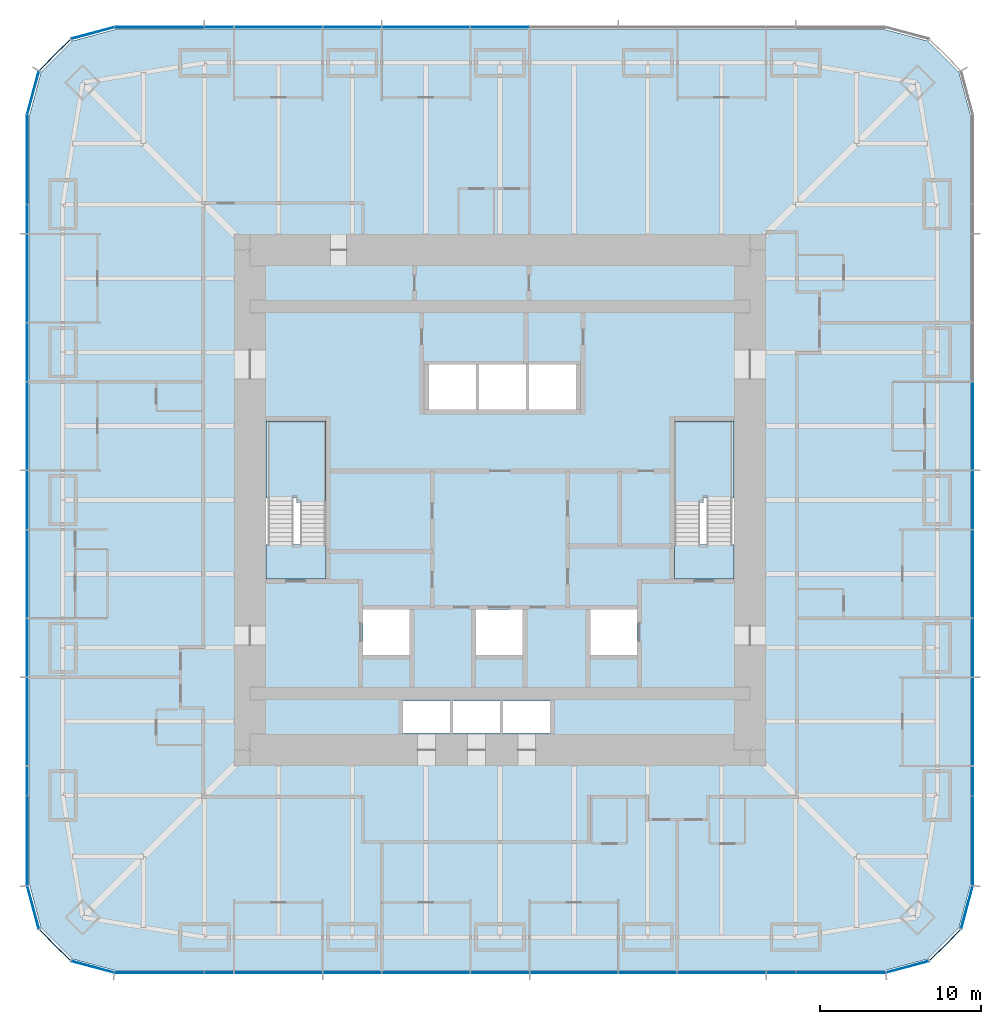
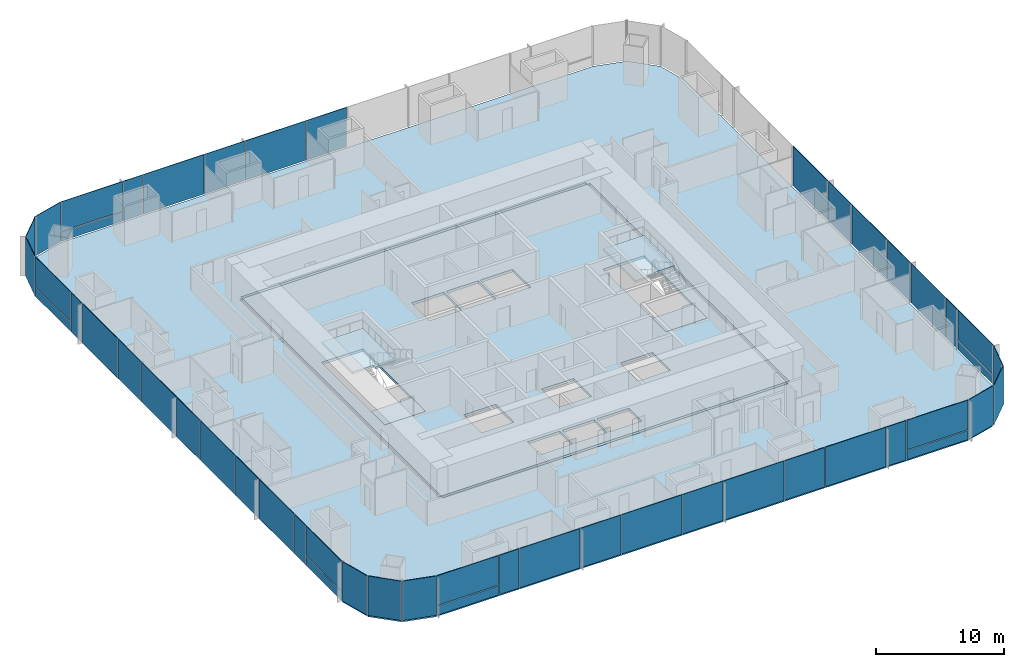
# One storey, part 7 of 13: 50 plates, 6 slabs, 9 elements without a shape of their own.
"""IFC4 building model written with IfcOpenShell, lengths in metres."""

from ifc_helpers import new_model, si_unit, direction, frame, origin, origin_2d, place, context, subcontext, project, spatial, polyline, rectangle, outline, extrude, material, layer, layer_set, type_object, element, aggregate, save


model = new_model("IFC4")

# Units and contexts
model_context = context("Model", 3, precision=1e-05, world=origin(), true_north=direction((0.0, 1.0)))
body_context = subcontext(model_context, "Body", "Model", "MODEL_VIEW")
ifc_project = project(units=[si_unit("LENGTHUNIT", "METRE"), si_unit("AREAUNIT", "SQUARE_METRE"), si_unit("VOLUMEUNIT", "CUBIC_METRE"), si_unit("PLANEANGLEUNIT", "RADIAN"), si_unit("MASSUNIT", "GRAM", prefix="KILO")], contexts=[model_context])

# Site, building, storey
site_placement = place(None, origin())
site = spatial("IfcSite", under=ifc_project, at=site_placement, CompositionType="ELEMENT")
building_placement = place(site_placement, origin())
building = spatial("IfcBuilding", under=site, at=building_placement, Name="Khuree Lantern Residences", CompositionType="ELEMENT")
storey_placement = place(building_placement, frame((0.0, 0.0, 111.0)))
storey = spatial("IfcBuildingStorey", under=building, at=storey_placement, Name="L27", CompositionType="ELEMENT", Elevation=111.0)

# Slab
ifc_material_1 = material(Name="Concrete C35/45", Category="concrete")
ifc_layer_1 = layer(ifc_material_1, 0.25)
ifc_layer_set_1 = layer_set([ifc_layer_1], Name="CFL250 CORE FLOOR SLAB 250")
slab_type_1 = type_object("IfcSlabType", Name="CFL250 CORE FLOOR SLAB 250", PredefinedType="FLOOR", material=ifc_layer_set_1)
slab_1_placement = place(storey_placement, frame((0.0, 0.0, -0.25)))
element("IfcSlab", 1, at=slab_1_placement, inside=storey, type_object=slab_type_1, Name="Core floor L27", PredefinedType="FLOOR", context=body_context, shape_type="SweptSolid", body=[
    extrude(outline(polyline([(-15.5, -15.5), (-15.5, 15.5), (15.5, 15.5), (15.5, -15.5), (-15.5, -15.5)]), holes=[polyline([(10.800048828125, 4.89990234375), (10.800048828125, -4.89990234375), (14.5, -4.89990234375), (14.5, 4.89990234375), (10.800048828125, 4.89990234375)]), polyline([(8.5, -6.800048828125), (5.60009765625, -6.800048828125), (5.60009765625, -9.60009765625), (8.5, -9.60009765625), (8.5, -6.800048828125)]), polyline([(4.699951171875, 8.39990234375), (1.800048828125, 8.39990234375), (1.800048828125, 5.60009765625), (4.699951171875, 5.60009765625), (4.699951171875, 8.39990234375)]), polyline([(3.10009765625, -12.449951171875), (0.199951171875, -12.449951171875), (0.199951171875, -14.449951171875), (3.10009765625, -14.449951171875), (3.10009765625, -12.449951171875)]), polyline([(1.60009765625, 8.39990234375), (-1.300048828125, 8.39990234375), (-1.300048828125, 5.60009765625), (1.60009765625, 5.60009765625), (1.60009765625, 8.39990234375)]), polyline([(1.39990234375, -6.800048828125), (-1.5, -6.800048828125), (-1.5, -9.60009765625), (1.39990234375, -9.60009765625), (1.39990234375, -6.800048828125)]), polyline([(-2.89990234375, -12.449951171875), (-2.89990234375, -14.449951171875), (0.0, -14.449951171875), (0.0, -12.449951171875), (-2.89990234375, -12.449951171875)]), polyline([(-4.39990234375, 8.39990234375), (-4.39990234375, 5.60009765625), (-1.5, 5.60009765625), (-1.5, 8.39990234375), (-4.39990234375, 8.39990234375)]), polyline([(-6.0, -12.449951171875), (-6.0, -14.449951171875), (-3.10009765625, -14.449951171875), (-3.10009765625, -12.449951171875), (-6.0, -12.449951171875)]), polyline([(-8.5, -6.800048828125), (-8.5, -9.60009765625), (-5.60009765625, -9.60009765625), (-5.60009765625, -6.800048828125), (-8.5, -6.800048828125)]), polyline([(-10.800048828125, 4.89990234375), (-14.5, 4.89990234375), (-14.5, -4.89990234375), (-10.800048828125, -4.89990234375), (-10.800048828125, 4.89990234375)])]), origin(), (0.0, 0.0, 1.0), 0.25),
])

# Curtain wall, plates
ifc_material_2 = material(Name="Bronze anodised aluminium", Category="aluminium")
curtain_wall_type_1 = type_object("IfcCurtainWallType", Name="CW-T2 TOWER CORNER CURTAIN WALL", PredefinedType="USERDEFINED", material=ifc_material_2)
curtain_wall_1_placement = place(storey_placement, origin())
curtain_wall_1 = element("IfcCurtainWall", 2, at=curtain_wall_1_placement, inside=storey, type_object=curtain_wall_type_1, Name="L27 SOUTH-EAST CORNER CURTAIN WALL", ObjectType="Faceted corner curtain wall", PredefinedType="USERDEFINED")
ifc_material_3 = material(Name="Bronze tinted triple glazing", Category="glass")
ifc_layer_2 = layer(ifc_material_3, 0.048095703125)
ifc_layer_set_2 = layer_set([ifc_layer_2], Name="FACET PANEL P4")
plate_type_1 = type_object("IfcPlateType", Name="FACET PANEL P4", PredefinedType="CURTAIN_PANEL", material=ifc_layer_set_2)
plate_1_placement = place(storey_placement, frame((25.248046875, -28.938720703125, 0.0), z_axis=(0.0, 0.0, 1.0), x_axis=(0.965925810153, 0.258819105321, 0.0)))
plate_1 = element("IfcPlate", 3, at=plate_1_placement, type_object=plate_type_1, Name="L27 SOUTH-EAST CORNER PANEL 1.1", PredefinedType="CURTAIN_PANEL", context=body_context, shape_type="SweptSolid", body=[
    extrude(rectangle(XDim=2.71923828125, YDim=0.048095703125, at=origin_2d()), origin(), (0.0, 0.0, 1.0), 3.75),
])
plate_2_placement = place(storey_placement, frame((27.58837890625, -27.58837890625, 0.0), z_axis=(0.0, 0.0, 1.0), x_axis=(0.707106781187, 0.707106781187, 0.0)))
plate_2 = element("IfcPlate", 4, at=plate_2_placement, type_object=plate_type_1, Name="L27 SOUTH-EAST CORNER PANEL 2.1", PredefinedType="CURTAIN_PANEL", context=body_context, shape_type="SweptSolid", body=[
    extrude(rectangle(XDim=2.715087890625, YDim=0.048095703125, at=origin_2d()), origin(), (0.0, 0.0, 1.0), 3.75),
])
plate_3_placement = place(storey_placement, frame((28.938720703125, -25.248046875, 0.0), z_axis=(0.0, 0.0, 1.0), x_axis=(0.258819105321, 0.965925810153, 0.0)))
plate_3 = element("IfcPlate", 5, at=plate_3_placement, type_object=plate_type_1, Name="L27 SOUTH-EAST CORNER PANEL 3.1", PredefinedType="CURTAIN_PANEL", context=body_context, shape_type="SweptSolid", body=[
    extrude(rectangle(XDim=2.71923828125, YDim=0.048095703125, at=origin_2d()), origin(), (0.0, 0.0, 1.0), 3.75),
])
aggregate(curtain_wall_1, [plate_1, plate_2, plate_3])

curtain_wall_2_placement = place(storey_placement, origin())
curtain_wall_2 = element("IfcCurtainWall", 6, at=curtain_wall_2_placement, inside=storey, type_object=curtain_wall_type_1, Name="L27 NORTH-WEST CORNER CURTAIN WALL", ObjectType="Faceted corner curtain wall", PredefinedType="USERDEFINED")
plate_4_placement = place(storey_placement, frame((-25.248046875, 28.938720703125, 0.0), z_axis=(0.0, 0.0, 1.0), x_axis=(-0.965925810153, -0.258819105321, 0.0)))
plate_4 = element("IfcPlate", 7, at=plate_4_placement, type_object=plate_type_1, Name="L27 NORTH-WEST CORNER PANEL 29.1", PredefinedType="CURTAIN_PANEL", context=body_context, shape_type="SweptSolid", body=[
    extrude(rectangle(XDim=2.71923828125, YDim=0.048095703125, at=origin_2d()), origin(), (0.0, 0.0, 1.0), 3.75),
])
plate_5_placement = place(storey_placement, frame((-27.58837890625, 27.58837890625, 0.0), z_axis=(0.0, 0.0, 1.0), x_axis=(-0.707106781187, -0.707106781187, 0.0)))
plate_5 = element("IfcPlate", 8, at=plate_5_placement, type_object=plate_type_1, Name="L27 NORTH-WEST CORNER PANEL 30.1", PredefinedType="CURTAIN_PANEL", context=body_context, shape_type="SweptSolid", body=[
    extrude(rectangle(XDim=2.715087890625, YDim=0.048095703125, at=origin_2d()), origin(), (0.0, 0.0, 1.0), 3.75),
])
plate_6_placement = place(storey_placement, frame((-28.938720703125, 25.248046875, 0.0), z_axis=(0.0, 0.0, 1.0), x_axis=(-0.258819105321, -0.965925810153, 0.0)))
plate_6 = element("IfcPlate", 9, at=plate_6_placement, type_object=plate_type_1, Name="L27 NORTH-WEST CORNER PANEL 31.1", PredefinedType="CURTAIN_PANEL", context=body_context, shape_type="SweptSolid", body=[
    extrude(rectangle(XDim=2.71923828125, YDim=0.048095703125, at=origin_2d()), origin(), (0.0, 0.0, 1.0), 3.75),
])
aggregate(curtain_wall_2, [plate_4, plate_5, plate_6])

curtain_wall_3_placement = place(storey_placement, origin())
curtain_wall_3 = element("IfcCurtainWall", 10, at=curtain_wall_3_placement, inside=storey, type_object=curtain_wall_type_1, Name="L27 SOUTH-WEST CORNER CURTAIN WALL", ObjectType="Faceted corner curtain wall", PredefinedType="USERDEFINED")
plate_7_placement = place(storey_placement, frame((-28.938720703125, -25.248046875, 0.0), z_axis=(0.0, 0.0, 1.0), x_axis=(0.258819105321, -0.965925810153, 0.0)))
plate_7 = element("IfcPlate", 11, at=plate_7_placement, type_object=plate_type_1, Name="L27 SOUTH-WEST CORNER PANEL 43.1", PredefinedType="CURTAIN_PANEL", context=body_context, shape_type="SweptSolid", body=[
    extrude(rectangle(XDim=2.71923828125, YDim=0.048095703125, at=origin_2d()), origin(), (0.0, 0.0, 1.0), 3.75),
])
plate_8_placement = place(storey_placement, frame((-27.58837890625, -27.58837890625, 0.0), z_axis=(0.0, 0.0, 1.0), x_axis=(0.707106781187, -0.707106781187, 0.0)))
plate_8 = element("IfcPlate", 12, at=plate_8_placement, type_object=plate_type_1, Name="L27 SOUTH-WEST CORNER PANEL 44.1", PredefinedType="CURTAIN_PANEL", context=body_context, shape_type="SweptSolid", body=[
    extrude(rectangle(XDim=2.715087890625, YDim=0.048095703125, at=origin_2d()), origin(), (0.0, 0.0, 1.0), 3.75),
])
plate_9_placement = place(storey_placement, frame((-25.248046875, -28.938720703125, 0.0), z_axis=(0.0, 0.0, 1.0), x_axis=(0.965925810153, -0.258819105321, 0.0)))
plate_9 = element("IfcPlate", 13, at=plate_9_placement, type_object=plate_type_1, Name="L27 SOUTH-WEST CORNER PANEL 45.1", PredefinedType="CURTAIN_PANEL", context=body_context, shape_type="SweptSolid", body=[
    extrude(rectangle(XDim=2.71923828125, YDim=0.048095703125, at=origin_2d()), origin(), (0.0, 0.0, 1.0), 3.75),
])
aggregate(curtain_wall_3, [plate_7, plate_8, plate_9])

curtain_wall_type_2 = type_object("IfcCurtainWallType", Name="CW-T1 TOWER FACE CURTAIN WALL", PredefinedType="USERDEFINED", material=ifc_material_2)
curtain_wall_4_placement = place(storey_placement, origin())
curtain_wall_4 = element("IfcCurtainWall", 14, at=curtain_wall_4_placement, inside=storey, type_object=curtain_wall_type_2, Name="L27 EAST FACE CURTAIN WALL", ObjectType="Stick-built curtain wall", PredefinedType="USERDEFINED")
ifc_material_4 = material(Name="Bronze tinted triple glazing with a ceramic-fritted spandrel band", Category="glass")
ifc_layer_3 = layer(ifc_material_4, 0.048095703125)
ifc_layer_set_3 = layer_set([ifc_layer_3], Name="FIXED LIGHT PANEL P11")
plate_type_2 = type_object("IfcPlateType", Name="FIXED LIGHT PANEL P11", PredefinedType="CURTAIN_PANEL", material=ifc_layer_set_3)
plate_10_placement = place(storey_placement, frame((29.300048828125, -13.739990234375, 0.0), z_axis=(0.0, 0.0, 1.0), x_axis=(0.0, 1.0, 0.0)))
plate_10 = element("IfcPlate", 15, at=plate_10_placement, type_object=plate_type_2, Name="L27 EAST FACE PANEL 6.1", PredefinedType="CURTAIN_PANEL", context=body_context, shape_type="SweptSolid", body=[
    extrude(rectangle(XDim=5.430908203125, YDim=0.048095703125, at=origin_2d()), origin(), (0.0, 0.0, 1.0), 3.75),
])
plate_11_placement = place(storey_placement, frame((29.300048828125, -4.580078125, 0.0), z_axis=(0.0, 0.0, 1.0), x_axis=(0.0, 1.0, 0.0)))
plate_11 = element("IfcPlate", 16, at=plate_11_placement, type_object=plate_type_2, Name="L27 EAST FACE PANEL 8.1", PredefinedType="CURTAIN_PANEL", context=body_context, shape_type="SweptSolid", body=[
    extrude(rectangle(XDim=5.430908203125, YDim=0.048095703125, at=origin_2d()), origin(), (0.0, 0.0, 1.0), 3.75),
])
plate_12_placement = place(storey_placement, frame((29.300048828125, 4.580078125, 0.0), z_axis=(0.0, 0.0, 1.0), x_axis=(0.0, 1.0, 0.0)))
plate_12 = element("IfcPlate", 17, at=plate_12_placement, type_object=plate_type_2, Name="L27 EAST FACE PANEL 10.1", PredefinedType="CURTAIN_PANEL", context=body_context, shape_type="SweptSolid", body=[
    extrude(rectangle(XDim=5.430908203125, YDim=0.048095703125, at=origin_2d()), origin(), (0.0, 0.0, 1.0), 3.75),
])

curtain_wall_5_placement = place(storey_placement, origin())
curtain_wall_5 = element("IfcCurtainWall", 18, at=curtain_wall_5_placement, inside=storey, type_object=curtain_wall_type_2, Name="L27 NORTH FACE CURTAIN WALL", ObjectType="Stick-built curtain wall", PredefinedType="USERDEFINED")
plate_13_placement = place(storey_placement, frame((-4.580078125, 29.300048828125, 0.0), z_axis=(0.0, 0.0, 1.0), x_axis=(-1.0, 0.0, 0.0)))
plate_13 = element("IfcPlate", 19, at=plate_13_placement, type_object=plate_type_2, Name="L27 NORTH FACE PANEL 24.1", PredefinedType="CURTAIN_PANEL", context=body_context, shape_type="SweptSolid", body=[
    extrude(rectangle(XDim=5.430908203125, YDim=0.048095703125, at=origin_2d()), origin(), (0.0, 0.0, 1.0), 3.75),
])
plate_14_placement = place(storey_placement, frame((-13.739990234375, 29.300048828125, 0.0), z_axis=(0.0, 0.0, 1.0), x_axis=(-1.0, 0.0, 0.0)))
plate_14 = element("IfcPlate", 20, at=plate_14_placement, type_object=plate_type_2, Name="L27 NORTH FACE PANEL 26.1", PredefinedType="CURTAIN_PANEL", context=body_context, shape_type="SweptSolid", body=[
    extrude(rectangle(XDim=5.430908203125, YDim=0.048095703125, at=origin_2d()), origin(), (0.0, 0.0, 1.0), 3.75),
])

curtain_wall_6_placement = place(storey_placement, origin())
curtain_wall_6 = element("IfcCurtainWall", 21, at=curtain_wall_6_placement, inside=storey, type_object=curtain_wall_type_2, Name="L27 WEST FACE CURTAIN WALL", ObjectType="Stick-built curtain wall", PredefinedType="USERDEFINED")
plate_15_placement = place(storey_placement, frame((-29.300048828125, 13.739990234375, 0.0), z_axis=(0.0, 0.0, 1.0), x_axis=(0.0, -1.0, 0.0)))
plate_15 = element("IfcPlate", 22, at=plate_15_placement, type_object=plate_type_2, Name="L27 WEST FACE PANEL 34.1", PredefinedType="CURTAIN_PANEL", context=body_context, shape_type="SweptSolid", body=[
    extrude(rectangle(XDim=5.430908203125, YDim=0.048095703125, at=origin_2d()), origin(), (0.0, 0.0, 1.0), 3.75),
])
plate_16_placement = place(storey_placement, frame((-29.300048828125, 4.580078125, 0.0), z_axis=(0.0, 0.0, 1.0), x_axis=(0.0, -1.0, 0.0)))
plate_16 = element("IfcPlate", 23, at=plate_16_placement, type_object=plate_type_2, Name="L27 WEST FACE PANEL 36.1", PredefinedType="CURTAIN_PANEL", context=body_context, shape_type="SweptSolid", body=[
    extrude(rectangle(XDim=5.430908203125, YDim=0.048095703125, at=origin_2d()), origin(), (0.0, 0.0, 1.0), 3.75),
])
plate_17_placement = place(storey_placement, frame((-29.300048828125, -4.580078125, 0.0), z_axis=(0.0, 0.0, 1.0), x_axis=(0.0, -1.0, 0.0)))
plate_17 = element("IfcPlate", 24, at=plate_17_placement, type_object=plate_type_2, Name="L27 WEST FACE PANEL 38.1", PredefinedType="CURTAIN_PANEL", context=body_context, shape_type="SweptSolid", body=[
    extrude(rectangle(XDim=5.430908203125, YDim=0.048095703125, at=origin_2d()), origin(), (0.0, 0.0, 1.0), 3.75),
])
plate_18_placement = place(storey_placement, frame((-29.300048828125, -13.739990234375, 0.0), z_axis=(0.0, 0.0, 1.0), x_axis=(0.0, -1.0, 0.0)))
plate_18 = element("IfcPlate", 25, at=plate_18_placement, type_object=plate_type_2, Name="L27 WEST FACE PANEL 40.1", PredefinedType="CURTAIN_PANEL", context=body_context, shape_type="SweptSolid", body=[
    extrude(rectangle(XDim=5.430908203125, YDim=0.048095703125, at=origin_2d()), origin(), (0.0, 0.0, 1.0), 3.75),
])

curtain_wall_7_placement = place(storey_placement, origin())
curtain_wall_7 = element("IfcCurtainWall", 26, at=curtain_wall_7_placement, inside=storey, type_object=curtain_wall_type_2, Name="L27 SOUTH FACE CURTAIN WALL", ObjectType="Stick-built curtain wall", PredefinedType="USERDEFINED")
plate_19_placement = place(storey_placement, frame((-13.739990234375, -29.300048828125, 0.0), z_axis=(0.0, 0.0, 1.0), x_axis=(1.0, 0.0, 0.0)))
plate_19 = element("IfcPlate", 27, at=plate_19_placement, type_object=plate_type_2, Name="L27 SOUTH FACE PANEL 48.1", PredefinedType="CURTAIN_PANEL", context=body_context, shape_type="SweptSolid", body=[
    extrude(rectangle(XDim=5.430908203125, YDim=0.048095703125, at=origin_2d()), origin(), (0.0, 0.0, 1.0), 3.75),
])
plate_20_placement = place(storey_placement, frame((-4.580078125, -29.300048828125, 0.0), z_axis=(0.0, 0.0, 1.0), x_axis=(1.0, 0.0, 0.0)))
plate_20 = element("IfcPlate", 28, at=plate_20_placement, type_object=plate_type_2, Name="L27 SOUTH FACE PANEL 50.1", PredefinedType="CURTAIN_PANEL", context=body_context, shape_type="SweptSolid", body=[
    extrude(rectangle(XDim=5.430908203125, YDim=0.048095703125, at=origin_2d()), origin(), (0.0, 0.0, 1.0), 3.75),
])
plate_21_placement = place(storey_placement, frame((4.580078125, -29.300048828125, 0.0), z_axis=(0.0, 0.0, 1.0), x_axis=(1.0, 0.0, 0.0)))
plate_21 = element("IfcPlate", 29, at=plate_21_placement, type_object=plate_type_2, Name="L27 SOUTH FACE PANEL 52.1", PredefinedType="CURTAIN_PANEL", context=body_context, shape_type="SweptSolid", body=[
    extrude(rectangle(XDim=5.430908203125, YDim=0.048095703125, at=origin_2d()), origin(), (0.0, 0.0, 1.0), 3.75),
])
plate_22_placement = place(storey_placement, frame((13.739990234375, -29.300048828125, 0.0), z_axis=(0.0, 0.0, 1.0), x_axis=(1.0, 0.0, 0.0)))
plate_22 = element("IfcPlate", 30, at=plate_22_placement, type_object=plate_type_2, Name="L27 SOUTH FACE PANEL 54.1", PredefinedType="CURTAIN_PANEL", context=body_context, shape_type="SweptSolid", body=[
    extrude(rectangle(XDim=5.430908203125, YDim=0.048095703125, at=origin_2d()), origin(), (0.0, 0.0, 1.0), 3.75),
])

# Slab
ifc_layer_4 = layer(ifc_material_1, 0.25)
ifc_layer_set_4 = layer_set([ifc_layer_4], Name="FS250 FLOOR SLAB 250")
slab_type_2 = type_object("IfcSlabType", Name="FS250 FLOOR SLAB 250", PredefinedType="FLOOR", material=ifc_layer_set_4)
slab_2_placement = place(storey_placement, frame((0.0, 0.0, -0.25)))
element("IfcSlab", 31, at=slab_2_placement, inside=storey, type_object=slab_type_2, Name="Floor slab L27", PredefinedType="FLOOR", context=body_context, shape_type="SweptSolid", body=[
    extrude(outline(polyline([(-26.52490234375, -28.446533203125), (-28.446533203125, -26.52490234375), (-29.14990234375, -23.89990234375), (-29.14990234375, 23.89990234375), (-28.446533203125, 26.52490234375), (-26.52490234375, 28.446533203125), (-23.89990234375, 29.14990234375), (23.89990234375, 29.14990234375), (26.52490234375, 28.446533203125), (28.446533203125, 26.52490234375), (29.14990234375, 23.89990234375), (29.14990234375, -23.89990234375), (28.446533203125, -26.52490234375), (26.52490234375, -28.446533203125), (23.89990234375, -29.14990234375), (-23.89990234375, -29.14990234375), (-26.52490234375, -28.446533203125)]), holes=[polyline([(15.75, 15.5), (15.5, 15.5), (15.5, 15.75), (-15.5, 15.75), (-15.5, 15.5), (-15.75, 15.5), (-15.75, -15.5), (-15.5, -15.5), (-15.5, -15.75), (15.5, -15.75), (15.5, -15.5), (15.75, -15.5), (15.75, 15.5)])]), origin(), (0.0, 0.0, 1.0), 0.25),
])

# Plate
ifc_material_5 = material(Name="Bronze tinted triple glazing, two aluminium-framed sashes in one frame", Category="aluminium")
ifc_layer_5 = layer(ifc_material_5, 0.048095703125)
ifc_layer_set_5 = layer_set([ifc_layer_5], Name="SASH PAIR PANEL P12")
plate_type_3 = type_object("IfcPlateType", Name="SASH PAIR PANEL P12", PredefinedType="CURTAIN_PANEL", material=ifc_layer_set_5)
plate_23_placement = place(storey_placement, frame((29.300048828125, -9.159912109375, 0.0), z_axis=(0.0, 0.0, 1.0), x_axis=(0.0, 1.0, 0.0)))
plate_23 = element("IfcPlate", 32, at=plate_23_placement, type_object=plate_type_3, Name="L27 EAST FACE PANEL 7.1", PredefinedType="CURTAIN_PANEL", context=body_context, shape_type="SweptSolid", body=[
    extrude(rectangle(XDim=3.59912109375, YDim=0.048095703125, at=origin_2d()), origin(), (0.0, 0.0, 1.0), 3.75),
])

plate_24_placement = place(storey_placement, frame((29.300048828125, 0.0, 0.0), z_axis=(0.0, 0.0, 1.0), x_axis=(0.0, 1.0, 0.0)))
plate_24 = element("IfcPlate", 33, at=plate_24_placement, type_object=plate_type_3, Name="L27 EAST FACE PANEL 9.1", PredefinedType="CURTAIN_PANEL", context=body_context, shape_type="SweptSolid", body=[
    extrude(rectangle(XDim=3.59912109375, YDim=0.048095703125, at=origin_2d()), origin(), (0.0, 0.0, 1.0), 3.75),
])

plate_25_placement = place(storey_placement, frame((0.0, 29.300048828125, 0.0), z_axis=(0.0, 0.0, 1.0), x_axis=(-1.0, 0.0, 0.0)))
plate_25 = element("IfcPlate", 34, at=plate_25_placement, type_object=plate_type_3, Name="L27 NORTH FACE PANEL 23.1", PredefinedType="CURTAIN_PANEL", context=body_context, shape_type="SweptSolid", body=[
    extrude(rectangle(XDim=3.59912109375, YDim=0.048095703125, at=origin_2d()), origin(), (0.0, 0.0, 1.0), 3.75),
])

plate_26_placement = place(storey_placement, frame((-9.159912109375, 29.300048828125, 0.0), z_axis=(0.0, 0.0, 1.0), x_axis=(-1.0, 0.0, 0.0)))
plate_26 = element("IfcPlate", 35, at=plate_26_placement, type_object=plate_type_3, Name="L27 NORTH FACE PANEL 25.1", PredefinedType="CURTAIN_PANEL", context=body_context, shape_type="SweptSolid", body=[
    extrude(rectangle(XDim=3.59912109375, YDim=0.048095703125, at=origin_2d()), origin(), (0.0, 0.0, 1.0), 3.75),
])

plate_27_placement = place(storey_placement, frame((-29.300048828125, 9.159912109375, 0.0), z_axis=(0.0, 0.0, 1.0), x_axis=(0.0, -1.0, 0.0)))
plate_27 = element("IfcPlate", 36, at=plate_27_placement, type_object=plate_type_3, Name="L27 WEST FACE PANEL 35.1", PredefinedType="CURTAIN_PANEL", context=body_context, shape_type="SweptSolid", body=[
    extrude(rectangle(XDim=3.59912109375, YDim=0.048095703125, at=origin_2d()), origin(), (0.0, 0.0, 1.0), 3.75),
])

plate_28_placement = place(storey_placement, frame((-29.300048828125, 0.0, 0.0), z_axis=(0.0, 0.0, 1.0), x_axis=(0.0, -1.0, 0.0)))
plate_28 = element("IfcPlate", 37, at=plate_28_placement, type_object=plate_type_3, Name="L27 WEST FACE PANEL 37.1", PredefinedType="CURTAIN_PANEL", context=body_context, shape_type="SweptSolid", body=[
    extrude(rectangle(XDim=3.59912109375, YDim=0.048095703125, at=origin_2d()), origin(), (0.0, 0.0, 1.0), 3.75),
])

plate_29_placement = place(storey_placement, frame((-29.300048828125, -9.159912109375, 0.0), z_axis=(0.0, 0.0, 1.0), x_axis=(0.0, -1.0, 0.0)))
plate_29 = element("IfcPlate", 38, at=plate_29_placement, type_object=plate_type_3, Name="L27 WEST FACE PANEL 39.1", PredefinedType="CURTAIN_PANEL", context=body_context, shape_type="SweptSolid", body=[
    extrude(rectangle(XDim=3.59912109375, YDim=0.048095703125, at=origin_2d()), origin(), (0.0, 0.0, 1.0), 3.75),
])

plate_30_placement = place(storey_placement, frame((-9.159912109375, -29.300048828125, 0.0), z_axis=(0.0, 0.0, 1.0), x_axis=(1.0, 0.0, 0.0)))
plate_30 = element("IfcPlate", 39, at=plate_30_placement, type_object=plate_type_3, Name="L27 SOUTH FACE PANEL 49.1", PredefinedType="CURTAIN_PANEL", context=body_context, shape_type="SweptSolid", body=[
    extrude(rectangle(XDim=3.59912109375, YDim=0.048095703125, at=origin_2d()), origin(), (0.0, 0.0, 1.0), 3.75),
])

plate_31_placement = place(storey_placement, frame((0.0, -29.300048828125, 0.0), z_axis=(0.0, 0.0, 1.0), x_axis=(1.0, 0.0, 0.0)))
plate_31 = element("IfcPlate", 40, at=plate_31_placement, type_object=plate_type_3, Name="L27 SOUTH FACE PANEL 51.1", PredefinedType="CURTAIN_PANEL", context=body_context, shape_type="SweptSolid", body=[
    extrude(rectangle(XDim=3.59912109375, YDim=0.048095703125, at=origin_2d()), origin(), (0.0, 0.0, 1.0), 3.75),
])

plate_32_placement = place(storey_placement, frame((9.159912109375, -29.300048828125, 0.0), z_axis=(0.0, 0.0, 1.0), x_axis=(1.0, 0.0, 0.0)))
plate_32 = element("IfcPlate", 41, at=plate_32_placement, type_object=plate_type_3, Name="L27 SOUTH FACE PANEL 53.1", PredefinedType="CURTAIN_PANEL", context=body_context, shape_type="SweptSolid", body=[
    extrude(rectangle(XDim=3.59912109375, YDim=0.048095703125, at=origin_2d()), origin(), (0.0, 0.0, 1.0), 3.75),
])

ifc_material_6 = material(Name="Bronze tinted triple glazing, aluminium-framed sash", Category="aluminium")
ifc_layer_6 = layer(ifc_material_6, 0.048095703125)
ifc_layer_set_6 = layer_set([ifc_layer_6], Name="SASH PANEL P3")
plate_type_4 = type_object("IfcPlateType", Name="SASH PANEL P3", PredefinedType="CURTAIN_PANEL", material=ifc_layer_set_6)
plate_33_placement = place(storey_placement, frame((29.300048828125, -17.404052734375, 0.0), z_axis=(0.0, 0.0, 1.0), x_axis=(0.0, 1.0, 0.0)))
plate_33 = element("IfcPlate", 42, at=plate_33_placement, type_object=plate_type_4, Name="L27 EAST FACE PANEL 5.1", PredefinedType="CURTAIN_PANEL", context=body_context, shape_type="SweptSolid", body=[
    extrude(rectangle(XDim=1.76708984375, YDim=0.048095703125, at=origin_2d()), origin(), (0.0, 0.0, 1.0), 3.75),
])

plate_34_placement = place(storey_placement, frame((-17.404052734375, 29.300048828125, 0.0), z_axis=(0.0, 0.0, 1.0), x_axis=(-1.0, 0.0, 0.0)))
plate_34 = element("IfcPlate", 43, at=plate_34_placement, type_object=plate_type_4, Name="L27 NORTH FACE PANEL 27.1", PredefinedType="CURTAIN_PANEL", context=body_context, shape_type="SweptSolid", body=[
    extrude(rectangle(XDim=1.76708984375, YDim=0.048095703125, at=origin_2d()), origin(), (0.0, 0.0, 1.0), 3.75),
])

plate_35_placement = place(storey_placement, frame((-29.300048828125, 17.404052734375, 0.0), z_axis=(0.0, 0.0, 1.0), x_axis=(0.0, -1.0, 0.0)))
plate_35 = element("IfcPlate", 44, at=plate_35_placement, type_object=plate_type_4, Name="L27 WEST FACE PANEL 33.1", PredefinedType="CURTAIN_PANEL", context=body_context, shape_type="SweptSolid", body=[
    extrude(rectangle(XDim=1.76708984375, YDim=0.048095703125, at=origin_2d()), origin(), (0.0, 0.0, 1.0), 3.75),
])

plate_36_placement = place(storey_placement, frame((-29.300048828125, -17.404052734375, 0.0), z_axis=(0.0, 0.0, 1.0), x_axis=(0.0, -1.0, 0.0)))
plate_36 = element("IfcPlate", 45, at=plate_36_placement, type_object=plate_type_4, Name="L27 WEST FACE PANEL 41.1", PredefinedType="CURTAIN_PANEL", context=body_context, shape_type="SweptSolid", body=[
    extrude(rectangle(XDim=1.76708984375, YDim=0.048095703125, at=origin_2d()), origin(), (0.0, 0.0, 1.0), 3.75),
])

plate_37_placement = place(storey_placement, frame((-17.404052734375, -29.300048828125, 0.0), z_axis=(0.0, 0.0, 1.0), x_axis=(1.0, 0.0, 0.0)))
plate_37 = element("IfcPlate", 46, at=plate_37_placement, type_object=plate_type_4, Name="L27 SOUTH FACE PANEL 47.1", PredefinedType="CURTAIN_PANEL", context=body_context, shape_type="SweptSolid", body=[
    extrude(rectangle(XDim=1.76708984375, YDim=0.048095703125, at=origin_2d()), origin(), (0.0, 0.0, 1.0), 3.75),
])

plate_38_placement = place(storey_placement, frame((17.404052734375, -29.300048828125, 0.0), z_axis=(0.0, 0.0, 1.0), x_axis=(1.0, 0.0, 0.0)))
plate_38 = element("IfcPlate", 47, at=plate_38_placement, type_object=plate_type_4, Name="L27 SOUTH FACE PANEL 55.1", PredefinedType="CURTAIN_PANEL", context=body_context, shape_type="SweptSolid", body=[
    extrude(rectangle(XDim=1.76708984375, YDim=0.048095703125, at=origin_2d()), origin(), (0.0, 0.0, 1.0), 3.75),
])

ifc_material_7 = material(Name="Bronze anodised aluminium insulated spandrel", Category="aluminium")
ifc_layer_7 = layer(ifc_material_7, 0.06005859375)
ifc_layer_set_7 = layer_set([ifc_layer_7], Name="SPANDREL PANEL P2")
plate_type_5 = type_object("IfcPlateType", Name="SPANDREL PANEL P2", PredefinedType="CURTAIN_PANEL", material=ifc_layer_set_7)
plate_39_placement = place(storey_placement, frame((29.300048828125, -21.10791015625, 0.0), z_axis=(0.0, 0.0, 1.0), x_axis=(0.0, 1.0, 0.0)))
plate_39 = element("IfcPlate", 48, at=plate_39_placement, type_object=plate_type_5, Name="L27 EAST FACE PANEL 4.1", PredefinedType="CURTAIN_PANEL", context=body_context, shape_type="SweptSolid", body=[
    extrude(rectangle(XDim=5.5107421875, YDim=0.06005859375, at=origin_2d()), origin(), (0.0, 0.0, 1.0), 0.867431640625),
])

plate_40_placement = place(storey_placement, frame((-21.10791015625, 29.300048828125, 0.0), z_axis=(0.0, 0.0, 1.0), x_axis=(-1.0, 0.0, 0.0)))
plate_40 = element("IfcPlate", 49, at=plate_40_placement, type_object=plate_type_5, Name="L27 NORTH FACE PANEL 28.1", PredefinedType="CURTAIN_PANEL", context=body_context, shape_type="SweptSolid", body=[
    extrude(rectangle(XDim=5.5107421875, YDim=0.06005859375, at=origin_2d()), origin(), (0.0, 0.0, 1.0), 0.867431640625),
])

plate_41_placement = place(storey_placement, frame((-29.300048828125, 21.10791015625, 0.0), z_axis=(0.0, 0.0, 1.0), x_axis=(0.0, -1.0, 0.0)))
plate_41 = element("IfcPlate", 50, at=plate_41_placement, type_object=plate_type_5, Name="L27 WEST FACE PANEL 32.1", PredefinedType="CURTAIN_PANEL", context=body_context, shape_type="SweptSolid", body=[
    extrude(rectangle(XDim=5.5107421875, YDim=0.06005859375, at=origin_2d()), origin(), (0.0, 0.0, 1.0), 0.867431640625),
])

plate_42_placement = place(storey_placement, frame((-29.300048828125, -21.10791015625, 0.0), z_axis=(0.0, 0.0, 1.0), x_axis=(0.0, -1.0, 0.0)))
plate_42 = element("IfcPlate", 51, at=plate_42_placement, type_object=plate_type_5, Name="L27 WEST FACE PANEL 42.1", PredefinedType="CURTAIN_PANEL", context=body_context, shape_type="SweptSolid", body=[
    extrude(rectangle(XDim=5.5107421875, YDim=0.06005859375, at=origin_2d()), origin(), (0.0, 0.0, 1.0), 0.867431640625),
])

plate_43_placement = place(storey_placement, frame((-21.10791015625, -29.300048828125, 0.0), z_axis=(0.0, 0.0, 1.0), x_axis=(1.0, 0.0, 0.0)))
plate_43 = element("IfcPlate", 52, at=plate_43_placement, type_object=plate_type_5, Name="L27 SOUTH FACE PANEL 46.1", PredefinedType="CURTAIN_PANEL", context=body_context, shape_type="SweptSolid", body=[
    extrude(rectangle(XDim=5.5107421875, YDim=0.06005859375, at=origin_2d()), origin(), (0.0, 0.0, 1.0), 0.867431640625),
])

plate_44_placement = place(storey_placement, frame((21.10791015625, -29.300048828125, 0.0), z_axis=(0.0, 0.0, 1.0), x_axis=(1.0, 0.0, 0.0)))
plate_44 = element("IfcPlate", 53, at=plate_44_placement, type_object=plate_type_5, Name="L27 SOUTH FACE PANEL 56.1", PredefinedType="CURTAIN_PANEL", context=body_context, shape_type="SweptSolid", body=[
    extrude(rectangle(XDim=5.5107421875, YDim=0.06005859375, at=origin_2d()), origin(), (0.0, 0.0, 1.0), 0.867431640625),
])

# Stair, slabs
ifc_material_8 = material(Name="Concrete C40/50", Category="concrete")
stair_type = type_object("IfcStairType", Name="STAIR ST1 HALF TURN 3600", PredefinedType="HALF_TURN_STAIR", material=ifc_material_8)
stair_1_placement = place(storey_placement, origin())
stair_1 = element("IfcStair", 54, at=stair_1_placement, inside=storey, type_object=stair_type, Name="Stair ST1", PredefinedType="HALF_TURN_STAIR")
ifc_layer_8 = layer(ifc_material_8, 0.199951171875)
ifc_layer_set_8 = layer_set([ifc_layer_8], Name="STAIR LANDING SL1 200")
slab_type_3 = type_object("IfcSlabType", Name="STAIR LANDING SL1 200", PredefinedType="LANDING", material=ifc_layer_set_8)
slab_3_placement = place(storey_placement, frame((0.0, 0.0, -0.199951171875)))
slab_3 = element("IfcSlab", 55, at=slab_3_placement, type_object=slab_type_3, Name="ST1 landing 1", PredefinedType="LANDING", context=body_context, shape_type="SweptSolid", body=[
    extrude(outline(polyline([(-14.5, -4.89990234375), (-10.800048828125, -4.89990234375), (-10.800048828125, -2.760009765625), (-14.5, -2.760009765625), (-14.5, -4.89990234375)])), origin(), (0.0, 0.0, 1.0), 0.199951171875),
])
slab_4_placement = place(storey_placement, frame((0.0, 0.0, 1.756591796875)))
slab_4 = element("IfcSlab", 56, at=slab_4_placement, type_object=slab_type_3, Name="ST1 landing 2", PredefinedType="LANDING", context=body_context, shape_type="SweptSolid", body=[
    extrude(outline(polyline([(-14.5, 0.1201171875), (-14.5, 4.89990234375), (-10.800048828125, 4.89990234375), (-10.800048828125, -0.159912109375), (-12.60009765625, -0.159912109375), (-12.60009765625, 0.1201171875), (-14.5, 0.1201171875)])), origin(), (0.0, 0.0, 1.0), 0.199951171875),
])
aggregate(stair_1, [slab_3, slab_4])

stair_2_placement = place(storey_placement, origin())
stair_2 = element("IfcStair", 57, at=stair_2_placement, inside=storey, type_object=stair_type, Name="Stair ST2", PredefinedType="HALF_TURN_STAIR")
slab_5_placement = place(storey_placement, frame((0.0, 0.0, -0.199951171875)))
slab_5 = element("IfcSlab", 58, at=slab_5_placement, type_object=slab_type_3, Name="ST2 landing 1", PredefinedType="LANDING", context=body_context, shape_type="SweptSolid", body=[
    extrude(outline(polyline([(10.800048828125, -4.89990234375), (14.5, -4.89990234375), (14.5, -2.760009765625), (10.800048828125, -2.760009765625), (10.800048828125, -4.89990234375)])), origin(), (0.0, 0.0, 1.0), 0.199951171875),
])
slab_6_placement = place(storey_placement, frame((0.0, 0.0, 1.756591796875)))
slab_6 = element("IfcSlab", 59, at=slab_6_placement, type_object=slab_type_3, Name="ST2 landing 2", PredefinedType="LANDING", context=body_context, shape_type="SweptSolid", body=[
    extrude(outline(polyline([(14.5, 4.89990234375), (14.5, 0.1201171875), (12.60009765625, 0.1201171875), (12.60009765625, -0.159912109375), (10.800048828125, -0.159912109375), (10.800048828125, 4.89990234375), (14.5, 4.89990234375)])), origin(), (0.0, 0.0, 1.0), 0.199951171875),
])
aggregate(stair_2, [slab_5, slab_6])

# Plate
ifc_layer_9 = layer(ifc_material_3, 0.048095703125)
ifc_layer_set_9 = layer_set([ifc_layer_9], Name="VISION PANEL P1")
plate_type_6 = type_object("IfcPlateType", Name="VISION PANEL P1", PredefinedType="CURTAIN_PANEL", material=ifc_layer_set_9)
plate_45_placement = place(storey_placement, frame((29.300048828125, -21.1083984375, 0.9326171875), z_axis=(0.0, 0.0, 1.0), x_axis=(0.0, 1.0, 0.0)))
plate_45 = element("IfcPlate", 60, at=plate_45_placement, type_object=plate_type_6, Name="L27 EAST FACE PANEL 4.2", PredefinedType="CURTAIN_PANEL", context=body_context, shape_type="SweptSolid", body=[
    extrude(rectangle(XDim=5.511474609375, YDim=0.048095703125, at=origin_2d()), origin(), (0.0, 0.0, 1.0), 2.8173828125),
])

aggregate(curtain_wall_4, [plate_39, plate_45, plate_33, plate_10, plate_23, plate_11, plate_24, plate_12])

plate_46_placement = place(storey_placement, frame((-21.1083984375, 29.300048828125, 0.9326171875), z_axis=(0.0, 0.0, 1.0), x_axis=(-1.0, 0.0, 0.0)))
plate_46 = element("IfcPlate", 61, at=plate_46_placement, type_object=plate_type_6, Name="L27 NORTH FACE PANEL 28.2", PredefinedType="CURTAIN_PANEL", context=body_context, shape_type="SweptSolid", body=[
    extrude(rectangle(XDim=5.511474609375, YDim=0.048095703125, at=origin_2d()), origin(), (0.0, 0.0, 1.0), 2.8173828125),
])

aggregate(curtain_wall_5, [plate_25, plate_13, plate_26, plate_14, plate_34, plate_40, plate_46])

plate_47_placement = place(storey_placement, frame((-29.300048828125, 21.1083984375, 0.9326171875), z_axis=(0.0, 0.0, 1.0), x_axis=(0.0, -1.0, 0.0)))
plate_47 = element("IfcPlate", 62, at=plate_47_placement, type_object=plate_type_6, Name="L27 WEST FACE PANEL 32.2", PredefinedType="CURTAIN_PANEL", context=body_context, shape_type="SweptSolid", body=[
    extrude(rectangle(XDim=5.511474609375, YDim=0.048095703125, at=origin_2d()), origin(), (0.0, 0.0, 1.0), 2.8173828125),
])

plate_48_placement = place(storey_placement, frame((-29.300048828125, -21.1083984375, 0.9326171875), z_axis=(0.0, 0.0, 1.0), x_axis=(0.0, -1.0, 0.0)))
plate_48 = element("IfcPlate", 63, at=plate_48_placement, type_object=plate_type_6, Name="L27 WEST FACE PANEL 42.2", PredefinedType="CURTAIN_PANEL", context=body_context, shape_type="SweptSolid", body=[
    extrude(rectangle(XDim=5.511474609375, YDim=0.048095703125, at=origin_2d()), origin(), (0.0, 0.0, 1.0), 2.8173828125),
])

aggregate(curtain_wall_6, [plate_41, plate_47, plate_35, plate_15, plate_27, plate_16, plate_28, plate_17, plate_29, plate_18, plate_36, plate_42, plate_48])

plate_49_placement = place(storey_placement, frame((-21.1083984375, -29.300048828125, 0.9326171875), z_axis=(0.0, 0.0, 1.0), x_axis=(1.0, 0.0, 0.0)))
plate_49 = element("IfcPlate", 64, at=plate_49_placement, type_object=plate_type_6, Name="L27 SOUTH FACE PANEL 46.2", PredefinedType="CURTAIN_PANEL", context=body_context, shape_type="SweptSolid", body=[
    extrude(rectangle(XDim=5.511474609375, YDim=0.048095703125, at=origin_2d()), origin(), (0.0, 0.0, 1.0), 2.8173828125),
])

plate_50_placement = place(storey_placement, frame((21.1083984375, -29.300048828125, 0.9326171875), z_axis=(0.0, 0.0, 1.0), x_axis=(1.0, 0.0, 0.0)))
plate_50 = element("IfcPlate", 65, at=plate_50_placement, type_object=plate_type_6, Name="L27 SOUTH FACE PANEL 56.2", PredefinedType="CURTAIN_PANEL", context=body_context, shape_type="SweptSolid", body=[
    extrude(rectangle(XDim=5.511474609375, YDim=0.048095703125, at=origin_2d()), origin(), (0.0, 0.0, 1.0), 2.8173828125),
])

aggregate(curtain_wall_7, [plate_43, plate_49, plate_37, plate_19, plate_30, plate_20, plate_31, plate_21, plate_32, plate_22, plate_38, plate_44, plate_50])

save(model, "model.ifc")
